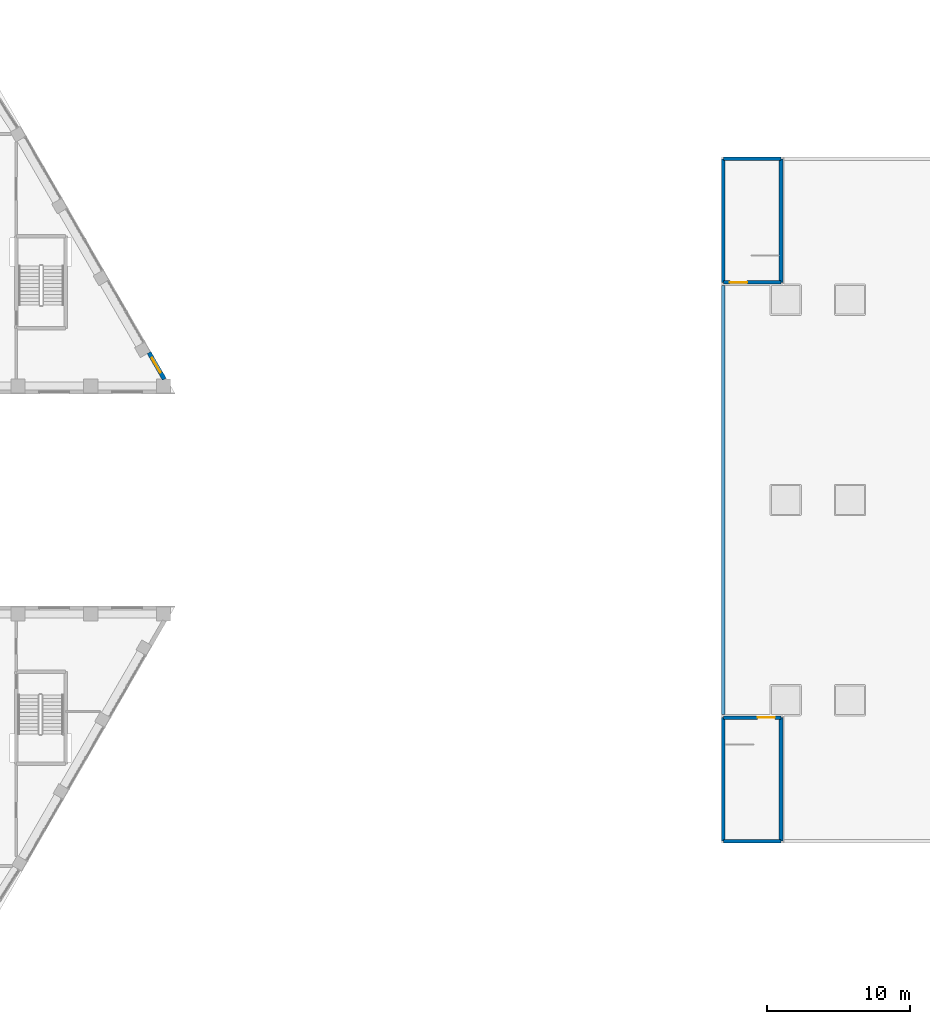
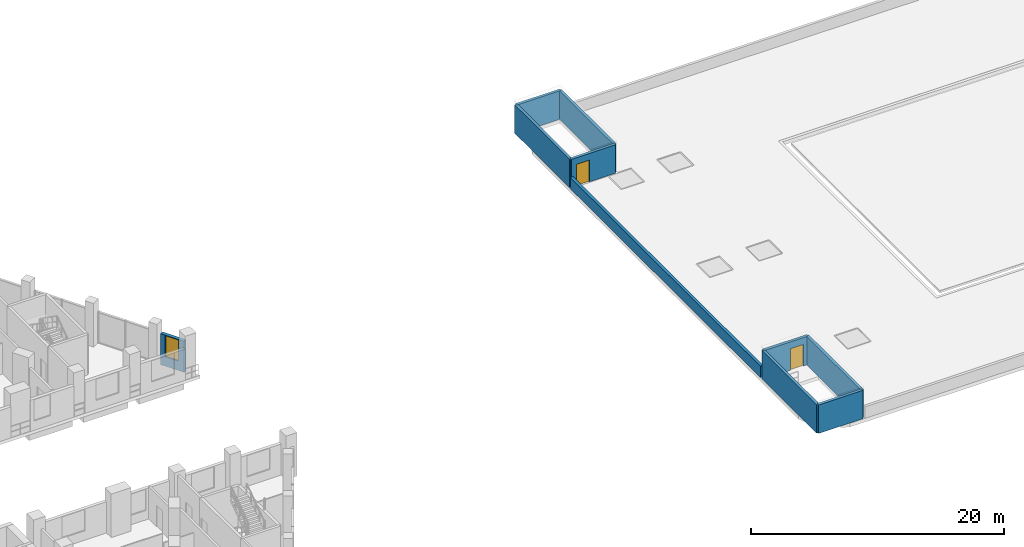
# One storey, part 23 of 33: 10 walls, 2 doors, 1 window, 3 openings.
"""IFC4 building model written with IfcOpenShell, lengths in metres."""

from ifc_helpers import new_model, si_unit, direction, frame, frame_2d, origin, place, context, subcontext, project, spatial, rectangle, extrude, material, layer, layer_set, type_object, element, fill, save


model = new_model("IFC4")

# Units and contexts
model_context = context("Model", 3, precision=1e-05, world=origin(), true_north=direction((0.0, 1.0)))
body_context = subcontext(model_context, "Body", "Model", "MODEL_VIEW")
ifc_project = project(units=[si_unit("LENGTHUNIT", "METRE"), si_unit("AREAUNIT", "SQUARE_METRE"), si_unit("VOLUMEUNIT", "CUBIC_METRE"), si_unit("PLANEANGLEUNIT", "RADIAN"), si_unit("MASSUNIT", "GRAM", prefix="KILO")], contexts=[model_context])

# Site, building, storey
site_placement = place(None, origin())
site = spatial("IfcSite", under=ifc_project, at=site_placement, CompositionType="ELEMENT")
building_placement = place(site_placement, origin())
building = spatial("IfcBuilding", under=site, at=building_placement, Name="Nakaniwa Court", CompositionType="ELEMENT")
storey_placement = place(building_placement, frame((0.0, 0.0, 19.800048828125)))
storey = spatial("IfcBuildingStorey", under=building, at=storey_placement, Name="L04", CompositionType="ELEMENT", Elevation=19.800048828125)

# Wall, opening, window
ifc_material_1 = material(Name="Charcoal ceramic cladding")
ifc_layer_1 = layer(ifc_material_1, 0.02, Name="Ceramic cladding")
ifc_material_2 = material(Name="Ventilated air cavity")
ifc_layer_2 = layer(ifc_material_2, 0.04, ventilated=True, Name="Ventilated cavity")
ifc_material_3 = material(Name="Mineral wool insulation")
ifc_layer_3 = layer(ifc_material_3, 0.1, Name="Insulation")
ifc_material_4 = material(Name="Cement bonded sheathing board")
ifc_layer_4 = layer(ifc_material_4, 0.012, Name="Sheathing")
ifc_material_5 = material(Name="Cold-formed galvanised stud frame with mineral wool infill")
ifc_layer_5 = layer(ifc_material_5, 0.1, Name="Stud frame")
ifc_material_6 = material(Name="Fire-rated gypsum plasterboard lining")
ifc_layer_6 = layer(ifc_material_6, 0.028, Name="Lining")
ifc_layer_set_1 = layer_set([ifc_layer_1, ifc_layer_2, ifc_layer_3, ifc_layer_4, ifc_layer_5, ifc_layer_6], Name="Charcoal ceramic faced external wall system")
wall_type_1 = type_object("IfcWallType", Name="Black ceramic faced external wall 300", PredefinedType="SOLIDWALL", material=ifc_layer_set_1)
wall_1_placement = place(storey_placement, frame((113.055419921875, 88.446533203125, 0.0), z_axis=(0.0, 0.0, 1.0), x_axis=(-0.499987977232, 0.866032345022, 0.0)))
wall_1 = element("IfcWall", 1, at=wall_1_placement, inside=storey, type_object=wall_type_1, Name="L04 external wall 39", PredefinedType="SOLIDWALL", context=body_context, shape_type="SweptSolid", body=[
    extrude(rectangle(XDim=2.14892578125, YDim=0.300048828125, at=frame_2d((1.074462890625, 0.0))), origin(), (0.0, 0.0, 1.0), 3.0),
])
opening_1_placement = place(wall_1_placement, frame((0.525146484375, 0.0, 0.89990234375)))
opening_1 = element("IfcOpeningElement", 2, at=opening_1_placement, cuts=wall_1, Name="Opening W1.33", PredefinedType="OPENING", context=body_context, shape_type="SweptSolid", body=[
    extrude(rectangle(XDim=1.199951171875, YDim=2.050048828125, at=frame_2d((0.60009765625, 1.02490234375))), frame((0.0, 0.159912109375, 0.0), z_axis=(0.0, -1.0, 0.0), x_axis=(1.0, 0.0, 0.0)), (0.0, 0.0, 1.0), 0.320068359375),
])
ifc_material_7 = material(Name="Black anodised aluminium frame with dark low-E laminated double glazing", Category="aluminium")
window_type = type_object("IfcWindowType", Name="Dark glass window 1200x2050 sill 900", PartitioningType="SINGLE_PANEL", PredefinedType="WINDOW", material=ifc_material_7)
window_placement = place(opening_1_placement, origin())
window = element("IfcWindow", 3, at=window_placement, inside=storey, type_object=window_type, Name="L04 habitable room window 39-0", OverallHeight=2.050048828125, OverallWidth=1.199951171875, PartitioningType="SINGLE_PANEL", PredefinedType="WINDOW", context=body_context, shape_type="SweptSolid", body=[
    extrude(rectangle(XDim=1.199951171875, YDim=2.050048828125, at=frame_2d((0.60009765625, 1.02490234375))), frame((0.0, 0.030029296875, 0.0), z_axis=(0.0, -1.0, 0.0), x_axis=(1.0, 0.0, 0.0)), (0.0, 0.0, 1.0), 0.06005859375),
])
fill(opening_1, window)

# Walls
ifc_material_8 = material(Name="Concrete C50/60", Category="concrete")
ifc_layer_7 = layer(ifc_material_8, 0.25)
ifc_layer_set_2 = layer_set([ifc_layer_7], Name="Concrete C50/60")
wall_type_2 = type_object("IfcWallType", Name="Fair faced concrete parapet 250", PredefinedType="PARAPET", material=ifc_layer_set_2)
wall_2_placement = place(storey_placement, frame((152.125, 64.985107421875, 0.0), z_axis=(0.0, 0.0, 1.0), x_axis=(0.0, 1.0, 0.0)))
element("IfcWall", 4, at=wall_2_placement, inside=storey, type_object=wall_type_2, Name="Roof parapet 1", PredefinedType="PARAPET", context=body_context, shape_type="SweptSolid", body=[
    extrude(rectangle(XDim=30.02978515625, YDim=0.25, at=frame_2d((15.014892578125, 0.0))), origin(), (0.0, 0.0, 1.0), 1.099853515625),
])
ifc_material_9 = material(Name="Concrete C40/50", Category="concrete")
ifc_layer_8 = layer(ifc_material_9, 0.25)
ifc_layer_set_3 = layer_set([ifc_layer_8], Name="Concrete C40/50")
wall_type_3 = type_object("IfcWallType", Name="Stair head house wall RC 250", PredefinedType="SOLIDWALL", material=ifc_layer_set_3)
wall_3_placement = place(storey_placement, frame((156.175048828125, 56.14990234375, 0.0), z_axis=(0.0, 0.0, 1.0), x_axis=(-1.0, 0.0, 0.0)))
element("IfcWall", 5, at=wall_3_placement, inside=storey, type_object=wall_type_3, Name="Stair 1 head house wall S", PredefinedType="SOLIDWALL", context=body_context, shape_type="SweptSolid", body=[
    extrude(rectangle(XDim=4.025146484375, YDim=0.25, at=frame_2d((2.0126953125, 0.0))), origin(), (0.0, 0.0, 1.0), 2.75),
])
wall_4_placement = place(storey_placement, frame((152.14990234375, 56.14990234375, 0.0), z_axis=(0.0, 0.0, 1.0), x_axis=(0.0, 1.0, 0.0)))
element("IfcWall", 6, at=wall_4_placement, inside=storey, type_object=wall_type_3, Name="Stair 1 head house wall W", PredefinedType="SOLIDWALL", context=body_context, shape_type="SweptSolid", body=[
    extrude(rectangle(XDim=8.635009765625, YDim=0.25, at=frame_2d((4.3173828125, 0.0))), origin(), (0.0, 0.0, 1.0), 2.75),
])

# Wall, opening, door
wall_5_placement = place(storey_placement, frame((152.14990234375, 64.784912109375, 0.0), z_axis=(0.0, 0.0, 1.0), x_axis=(1.0, 0.0, 0.0)))
wall_5 = element("IfcWall", 7, at=wall_5_placement, inside=storey, type_object=wall_type_3, Name="Stair 1 head house wall N", PredefinedType="SOLIDWALL", context=body_context, shape_type="SweptSolid", body=[
    extrude(rectangle(XDim=4.025146484375, YDim=0.25, at=frame_2d((2.0126953125, 0.0))), origin(), (0.0, 0.0, 1.0), 2.75),
])
opening_2_placement = place(wall_5_placement, frame((2.39990234375, 0.0, 0.0)))
opening_2 = element("IfcOpeningElement", 8, at=opening_2_placement, cuts=wall_5, Name="Opening HD-128", PredefinedType="OPENING", context=body_context, shape_type="SweptSolid", body=[
    extrude(rectangle(XDim=1.199951171875, YDim=2.10009765625, at=frame_2d((0.60009765625, 1.050048828125))), frame((0.0, 0.135009765625, 0.0), z_axis=(0.0, -1.0, 0.0), x_axis=(1.0, 0.0, 0.0)), (0.0, 0.0, 1.0), 0.27001953125),
])
ifc_material_10 = material(Name="Insulated steel door leaf in steel frame", Category="steel")
door_type = type_object("IfcDoorType", Name="Hall stair door 1200x2100", OperationType="SINGLE_SWING_LEFT", PredefinedType="DOOR", material=ifc_material_10)
door_1_placement = place(opening_2_placement, frame((1.199951171875, 0.0, 0.0), z_axis=(0.0, 0.0, 1.0), x_axis=(-1.0, 0.0, 0.0)))
door_1 = element("IfcDoor", 9, at=door_1_placement, inside=storey, type_object=door_type, Name="L04 door roof-H1", OperationType="SINGLE_SWING_LEFT", OverallHeight=2.10009765625, OverallWidth=1.199951171875, PredefinedType="DOOR", context=body_context, shape_type="SweptSolid", body=[
    extrude(rectangle(XDim=1.199951171875, YDim=2.10009765625, at=frame_2d((0.60009765625, 1.050048828125))), frame((0.0, 0.02490234375, 0.0), z_axis=(0.0, -1.0, 0.0), x_axis=(1.0, 0.0, 0.0)), (0.0, 0.0, 1.0), 0.050048828125),
])
fill(opening_2, door_1)

# Wall
wall_6_placement = place(storey_placement, frame((156.175048828125, 64.784912109375, 0.0), z_axis=(0.0, 0.0, 1.0), x_axis=(0.0, -1.0, 0.0)))
element("IfcWall", 10, at=wall_6_placement, inside=storey, type_object=wall_type_3, Name="Stair 1 head house wall E", PredefinedType="SOLIDWALL", context=body_context, shape_type="SweptSolid", body=[
    extrude(rectangle(XDim=8.635009765625, YDim=0.25, at=frame_2d((4.3173828125, 0.0))), origin(), (0.0, 0.0, 1.0), 2.75),
])

# Wall, opening, door
wall_7_placement = place(storey_placement, frame((156.175048828125, 95.215087890625, 0.0), z_axis=(0.0, 0.0, 1.0), x_axis=(-1.0, 0.0, 0.0)))
wall_7 = element("IfcWall", 11, at=wall_7_placement, inside=storey, type_object=wall_type_3, Name="Stair 2 head house wall S", PredefinedType="SOLIDWALL", context=body_context, shape_type="SweptSolid", body=[
    extrude(rectangle(XDim=4.025146484375, YDim=0.25, at=frame_2d((2.0126953125, 0.0))), origin(), (0.0, 0.0, 1.0), 2.75),
])
opening_3_placement = place(wall_7_placement, frame((2.375, 0.0, 0.0)))
opening_3 = element("IfcOpeningElement", 12, at=opening_3_placement, cuts=wall_7, Name="Opening HD-129", PredefinedType="OPENING", context=body_context, shape_type="SweptSolid", body=[
    extrude(rectangle(XDim=1.199951171875, YDim=2.10009765625, at=frame_2d((0.60009765625, 1.050048828125))), frame((0.0, 0.135009765625, 0.0), z_axis=(0.0, -1.0, 0.0), x_axis=(1.0, 0.0, 0.0)), (0.0, 0.0, 1.0), 0.27001953125),
])
door_2_placement = place(opening_3_placement, frame((1.199951171875, 0.0, 0.0), z_axis=(0.0, 0.0, 1.0), x_axis=(-1.0, 0.0, 0.0)))
door_2 = element("IfcDoor", 13, at=door_2_placement, inside=storey, type_object=door_type, Name="L04 door roof-H2", OperationType="SINGLE_SWING_LEFT", OverallHeight=2.10009765625, OverallWidth=1.199951171875, PredefinedType="DOOR", context=body_context, shape_type="SweptSolid", body=[
    extrude(rectangle(XDim=1.199951171875, YDim=2.10009765625, at=frame_2d((0.60009765625, 1.050048828125))), frame((0.0, 0.02490234375, 0.0), z_axis=(0.0, -1.0, 0.0), x_axis=(1.0, 0.0, 0.0)), (0.0, 0.0, 1.0), 0.050048828125),
])
fill(opening_3, door_2)

# Walls
wall_8_placement = place(storey_placement, frame((152.14990234375, 95.215087890625, 0.0), z_axis=(0.0, 0.0, 1.0), x_axis=(0.0, 1.0, 0.0)))
element("IfcWall", 14, at=wall_8_placement, inside=storey, type_object=wall_type_3, Name="Stair 2 head house wall W", PredefinedType="SOLIDWALL", context=body_context, shape_type="SweptSolid", body=[
    extrude(rectangle(XDim=8.635009765625, YDim=0.25, at=frame_2d((4.3173828125, 0.0))), origin(), (0.0, 0.0, 1.0), 2.75),
])
wall_9_placement = place(storey_placement, frame((152.14990234375, 103.85009765625, 0.0), z_axis=(0.0, 0.0, 1.0), x_axis=(1.0, 0.0, 0.0)))
element("IfcWall", 15, at=wall_9_placement, inside=storey, type_object=wall_type_3, Name="Stair 2 head house wall N", PredefinedType="SOLIDWALL", context=body_context, shape_type="SweptSolid", body=[
    extrude(rectangle(XDim=4.025146484375, YDim=0.25, at=frame_2d((2.0126953125, 0.0))), origin(), (0.0, 0.0, 1.0), 2.75),
])
wall_10_placement = place(storey_placement, frame((156.175048828125, 103.85009765625, 0.0), z_axis=(0.0, 0.0, 1.0), x_axis=(0.0, -1.0, 0.0)))
element("IfcWall", 16, at=wall_10_placement, inside=storey, type_object=wall_type_3, Name="Stair 2 head house wall E", PredefinedType="SOLIDWALL", context=body_context, shape_type="SweptSolid", body=[
    extrude(rectangle(XDim=8.635009765625, YDim=0.25, at=frame_2d((4.3173828125, 0.0))), origin(), (0.0, 0.0, 1.0), 2.75),
])

save(model, "model.ifc")
